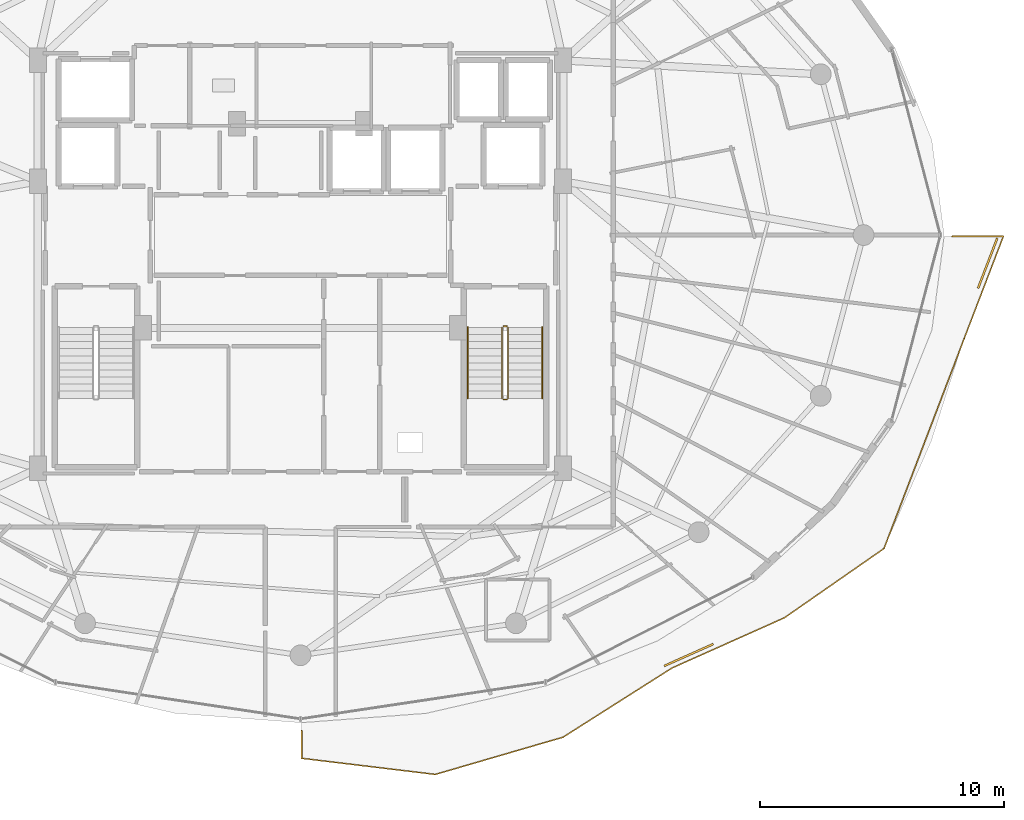
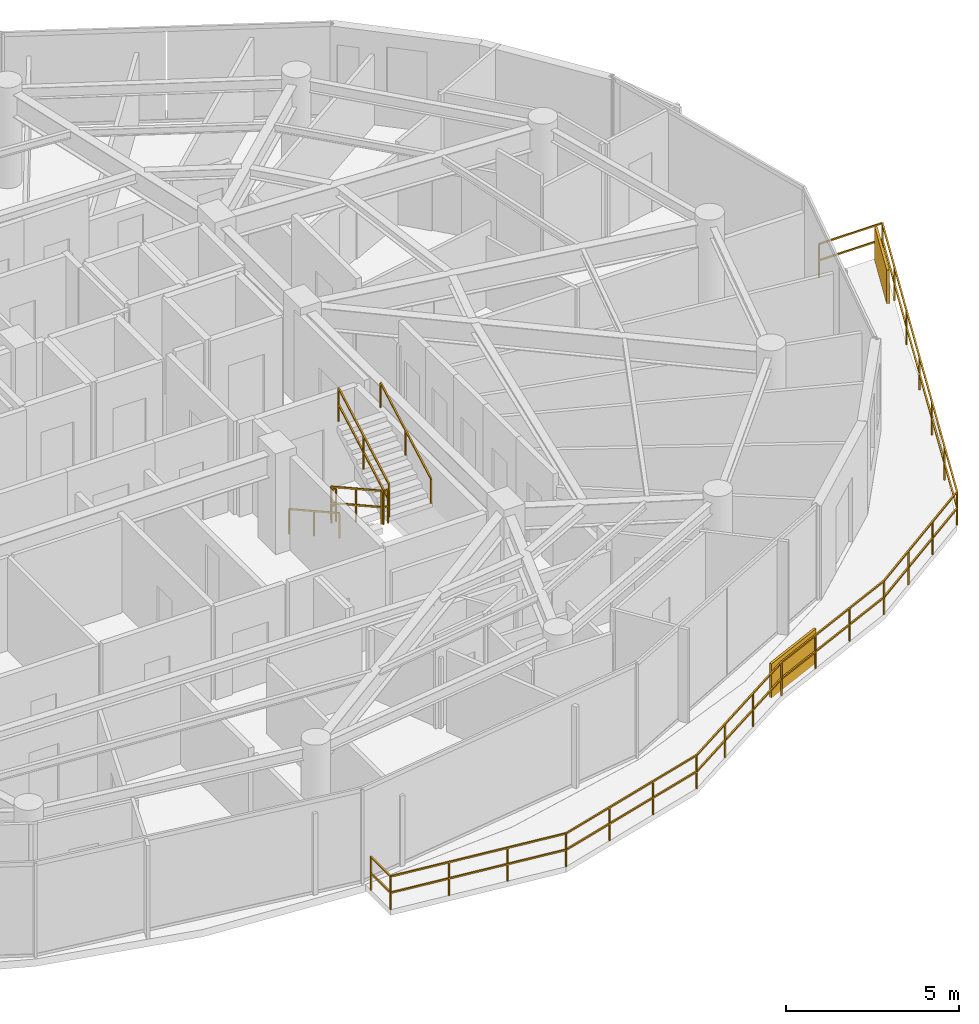
# One storey, part 28 of 30: 8 railings, 2 shading devices.
"""IFC4 building model written with IfcOpenShell, lengths in metres."""

from ifc_helpers import new_model, si_unit, direction, frame, origin, origin_2d, place, context, subcontext, project, spatial, rectangle, extrude, material, type_object, element, save


model = new_model("IFC4")

# Units and contexts
model_context = context("Model", 3, precision=1e-05, world=origin(), true_north=direction((0.0, 1.0)))
body_context = subcontext(model_context, "Body", "Model", "MODEL_VIEW")
ifc_project = project(units=[si_unit("LENGTHUNIT", "METRE"), si_unit("AREAUNIT", "SQUARE_METRE"), si_unit("VOLUMEUNIT", "CUBIC_METRE"), si_unit("PLANEANGLEUNIT", "RADIAN"), si_unit("MASSUNIT", "GRAM", prefix="KILO")], contexts=[model_context])

# Site, building, storey
site_placement = place(None, origin())
site = spatial("IfcSite", under=ifc_project, at=site_placement, CompositionType="ELEMENT")
building_placement = place(site_placement, origin())
building = spatial("IfcBuilding", under=site, at=building_placement, Name="Vorneva Point Tower", CompositionType="ELEMENT")
storey_placement = place(building_placement, frame((0.0, 0.0, 262.64990234375)))
storey = spatial("IfcBuildingStorey", under=building, at=storey_placement, Name="L71", CompositionType="ELEMENT", Elevation=262.64990234375)

# Railings
ifc_material_1 = material(Name="Pale anodised aluminium", Category="aluminium")
railing_type_1 = type_object("IfcRailingType", Name="RL-BAL-1200", PredefinedType="BALUSTRADE", material=ifc_material_1)
railing_1_placement = place(storey_placement, frame((65.166748046875, 21.758544921875, 0.0)))
element("IfcRailing", 1, at=railing_1_placement, inside=storey, type_object=railing_type_1, Name="L71 Wave Balcony Balustrade SE.1", PredefinedType="BALUSTRADE", context=body_context, shape_type="SweptSolid", body=[
    extrude(rectangle(XDim=0.048095703125, YDim=0.048095703125, at=origin_2d()), frame((0.0, 0.0, 1.17578125), z_axis=(0.35840691925, 0.933565466496, 0.0), x_axis=(-0.933565466496, 0.35840691925, 0.0)), (0.0, 0.0, 1.0), 4.48974609375),
    extrude(rectangle(XDim=0.048095703125, YDim=0.048095703125, at=origin_2d()), frame((0.0, 0.0, 0.60009765625), z_axis=(0.35840691925, 0.933565466496, 0.0), x_axis=(-0.933565466496, 0.35840691925, 0.0)), (0.0, 0.0, 1.0), 4.48974609375),
    extrude(rectangle(XDim=0.048095703125, YDim=0.048095703125, at=origin_2d()), frame((1.609130859375, 4.19140625, 1.17578125), z_axis=(-1.0, 0.0, 0.0), x_axis=(0.0, -1.0, 0.0)), (0.0, 0.0, 1.0), 2.109619140625),
    extrude(rectangle(XDim=0.048095703125, YDim=0.048095703125, at=origin_2d()), frame((1.609130859375, 4.19140625, 0.60009765625), z_axis=(-1.0, 0.0, 0.0), x_axis=(0.0, -1.0, 0.0)), (0.0, 0.0, 1.0), 2.109619140625),
    extrude(rectangle(XDim=0.0419921875, YDim=0.0419921875, at=origin_2d()), origin(), (0.0, 0.0, 1.0), 1.15185546875),
    extrude(rectangle(XDim=0.0419921875, YDim=0.0419921875, at=origin_2d()), frame((0.8046875, 2.095703125, 0.0)), (0.0, 0.0, 1.0), 1.15185546875),
    extrude(rectangle(XDim=0.0419921875, YDim=0.0419921875, at=origin_2d()), frame((1.609130859375, 4.19140625, 0.0)), (0.0, 0.0, 1.0), 1.15185546875),
    extrude(rectangle(XDim=0.0419921875, YDim=0.0419921875, at=origin_2d()), frame((-0.50048828125, 4.19140625, 0.0)), (0.0, 0.0, 1.0), 1.15185546875),
])
railing_2_placement = place(storey_placement, frame((38.050048828125, 5.722900390625, 0.0)))
element("IfcRailing", 2, at=railing_2_placement, inside=storey, type_object=railing_type_1, Name="L71 Wave Balcony Balustrade SE.2", PredefinedType="BALUSTRADE", context=body_context, shape_type="SweptSolid", body=[
    extrude(rectangle(XDim=0.048095703125, YDim=0.048095703125, at=origin_2d()), frame((0.0, 0.0, 1.17578125), z_axis=(0.0, -1.0, 0.0), x_axis=(1.0, 0.0, 0.0)), (0.0, 0.0, 1.0), 1.143798828125),
    extrude(rectangle(XDim=0.048095703125, YDim=0.048095703125, at=origin_2d()), frame((0.0, 0.0, 0.60009765625), z_axis=(0.0, -1.0, 0.0), x_axis=(1.0, 0.0, 0.0)), (0.0, 0.0, 1.0), 1.143798828125),
    extrude(rectangle(XDim=0.048095703125, YDim=0.048095703125, at=origin_2d()), frame((0.0, -1.143798828125, 1.17578125), z_axis=(0.992811242742, -0.119690585614, 0.0), x_axis=(0.119690585614, 0.992811242742, 0.0)), (0.0, 0.0, 1.0), 5.50732421875),
    extrude(rectangle(XDim=0.048095703125, YDim=0.048095703125, at=origin_2d()), frame((0.0, -1.143798828125, 0.60009765625), z_axis=(0.992811242742, -0.119690585614, 0.0), x_axis=(0.119690585614, 0.992811242742, 0.0)), (0.0, 0.0, 1.0), 5.50732421875),
    extrude(rectangle(XDim=0.048095703125, YDim=0.048095703125, at=origin_2d()), frame((5.4677734375, -1.802978515625, 1.17578125), z_axis=(0.960109356383, 0.279624791078, 0.0), x_axis=(-0.279624791078, 0.960109356383, 0.0)), (0.0, 0.0, 1.0), 5.447265625),
    extrude(rectangle(XDim=0.048095703125, YDim=0.048095703125, at=origin_2d()), frame((5.4677734375, -1.802978515625, 0.60009765625), z_axis=(0.960109356383, 0.279624791078, 0.0), x_axis=(-0.279624791078, 0.960109356383, 0.0)), (0.0, 0.0, 1.0), 5.447265625),
    extrude(rectangle(XDim=0.048095703125, YDim=0.048095703125, at=origin_2d()), frame((10.69775390625, -0.27978515625, 1.17578125), z_axis=(0.844167028657, 0.53608024374, 0.0), x_axis=(-0.53608024374, 0.844167028657, 0.0)), (0.0, 0.0, 1.0), 5.28564453125),
    extrude(rectangle(XDim=0.048095703125, YDim=0.048095703125, at=origin_2d()), frame((10.69775390625, -0.27978515625, 0.60009765625), z_axis=(0.844167028657, 0.53608024374, 0.0), x_axis=(-0.53608024374, 0.844167028657, 0.0)), (0.0, 0.0, 1.0), 5.28564453125),
    extrude(rectangle(XDim=0.048095703125, YDim=0.048095703125, at=origin_2d()), frame((15.15966796875, 2.5537109375, 1.17578125), z_axis=(0.913022533986, 0.407909122763, 0.0), x_axis=(-0.407909122763, 0.913022533986, 0.0)), (0.0, 0.0, 1.0), 5.038330078125),
    extrude(rectangle(XDim=0.048095703125, YDim=0.048095703125, at=origin_2d()), frame((15.15966796875, 2.5537109375, 0.60009765625), z_axis=(0.913022533986, 0.407909122763, 0.0), x_axis=(-0.407909122763, 0.913022533986, 0.0)), (0.0, 0.0, 1.0), 5.038330078125),
    extrude(rectangle(XDim=0.048095703125, YDim=0.048095703125, at=origin_2d()), frame((19.759765625, 4.60888671875, 1.17578125), z_axis=(0.820997387807, 0.570931947971, 0.0), x_axis=(-0.570931947971, 0.820997387807, 0.0)), (0.0, 0.0, 1.0), 4.965576171875),
    extrude(rectangle(XDim=0.048095703125, YDim=0.048095703125, at=origin_2d()), frame((19.759765625, 4.60888671875, 0.60009765625), z_axis=(0.820997387807, 0.570931947971, 0.0), x_axis=(-0.570931947971, 0.820997387807, 0.0)), (0.0, 0.0, 1.0), 4.965576171875),
    extrude(rectangle(XDim=0.048095703125, YDim=0.048095703125, at=origin_2d()), frame((23.83642578125, 7.44384765625, 1.17578125), z_axis=(0.356679660405, 0.934226749699, 0.0), x_axis=(-0.934226749699, 0.356679660405, 0.0)), (0.0, 0.0, 1.0), 9.19677734375),
    extrude(rectangle(XDim=0.048095703125, YDim=0.048095703125, at=origin_2d()), frame((23.83642578125, 7.44384765625, 0.60009765625), z_axis=(0.356679660405, 0.934226749699, 0.0), x_axis=(-0.934226749699, 0.356679660405, 0.0)), (0.0, 0.0, 1.0), 9.19677734375),
    extrude(rectangle(XDim=0.0419921875, YDim=0.0419921875, at=origin_2d()), origin(), (0.0, 0.0, 1.0), 1.15185546875),
    extrude(rectangle(XDim=0.0419921875, YDim=0.0419921875, at=origin_2d()), frame((0.0, -1.143798828125, 0.0)), (0.0, 0.0, 1.0), 1.15185546875),
    extrude(rectangle(XDim=0.0419921875, YDim=0.0419921875, at=origin_2d()), frame((1.822509765625, -1.363525390625, 0.0)), (0.0, 0.0, 1.0), 1.15185546875),
    extrude(rectangle(XDim=0.0419921875, YDim=0.0419921875, at=origin_2d()), frame((3.645263671875, -1.583251953125, 0.0)), (0.0, 0.0, 1.0), 1.15185546875),
    extrude(rectangle(XDim=0.0419921875, YDim=0.0419921875, at=origin_2d()), frame((5.4677734375, -1.802978515625, 0.0)), (0.0, 0.0, 1.0), 1.15185546875),
    extrude(rectangle(XDim=0.0419921875, YDim=0.0419921875, at=origin_2d()), frame((7.211181640625, -1.295166015625, 0.0)), (0.0, 0.0, 1.0), 1.15185546875),
    extrude(rectangle(XDim=0.0419921875, YDim=0.0419921875, at=origin_2d()), frame((8.954345703125, -0.78759765625, 0.0)), (0.0, 0.0, 1.0), 1.15185546875),
    extrude(rectangle(XDim=0.0419921875, YDim=0.0419921875, at=origin_2d()), frame((10.69775390625, -0.27978515625, 0.0)), (0.0, 0.0, 1.0), 1.15185546875),
    extrude(rectangle(XDim=0.0419921875, YDim=0.0419921875, at=origin_2d()), frame((12.18505859375, 0.664794921875, 0.0)), (0.0, 0.0, 1.0), 1.15185546875),
    extrude(rectangle(XDim=0.0419921875, YDim=0.0419921875, at=origin_2d()), frame((13.67236328125, 1.609130859375, 0.0)), (0.0, 0.0, 1.0), 1.15185546875),
    extrude(rectangle(XDim=0.0419921875, YDim=0.0419921875, at=origin_2d()), frame((15.15966796875, 2.5537109375, 0.0)), (0.0, 0.0, 1.0), 1.15185546875),
    extrude(rectangle(XDim=0.0419921875, YDim=0.0419921875, at=origin_2d()), frame((16.693115234375, 3.23876953125, 0.0)), (0.0, 0.0, 1.0), 1.15185546875),
    extrude(rectangle(XDim=0.0419921875, YDim=0.0419921875, at=origin_2d()), frame((18.226318359375, 3.923828125, 0.0)), (0.0, 0.0, 1.0), 1.15185546875),
    extrude(rectangle(XDim=0.0419921875, YDim=0.0419921875, at=origin_2d()), frame((19.759765625, 4.60888671875, 0.0)), (0.0, 0.0, 1.0), 1.15185546875),
    extrude(rectangle(XDim=0.0419921875, YDim=0.0419921875, at=origin_2d()), frame((21.11865234375, 5.553955078125, 0.0)), (0.0, 0.0, 1.0), 1.15185546875),
    extrude(rectangle(XDim=0.0419921875, YDim=0.0419921875, at=origin_2d()), frame((22.4775390625, 6.498779296875, 0.0)), (0.0, 0.0, 1.0), 1.15185546875),
    extrude(rectangle(XDim=0.0419921875, YDim=0.0419921875, at=origin_2d()), frame((23.83642578125, 7.44384765625, 0.0)), (0.0, 0.0, 1.0), 1.15185546875),
    extrude(rectangle(XDim=0.0419921875, YDim=0.0419921875, at=origin_2d()), frame((24.656494140625, 9.591796875, 0.0)), (0.0, 0.0, 1.0), 1.15185546875),
    extrude(rectangle(XDim=0.0419921875, YDim=0.0419921875, at=origin_2d()), frame((25.4765625, 11.73974609375, 0.0)), (0.0, 0.0, 1.0), 1.15185546875),
    extrude(rectangle(XDim=0.0419921875, YDim=0.0419921875, at=origin_2d()), frame((26.296630859375, 13.8876953125, 0.0)), (0.0, 0.0, 1.0), 1.15185546875),
    extrude(rectangle(XDim=0.0419921875, YDim=0.0419921875, at=origin_2d()), frame((27.11669921875, 16.03564453125, 0.0)), (0.0, 0.0, 1.0), 1.15185546875),
])
ifc_material_2 = material(Name="Brushed stainless steel S304", Category="steel")
railing_type_2 = type_object("IfcRailingType", Name="RL-HND-920", PredefinedType="HANDRAIL", material=ifc_material_2)
railing_3_placement = place(storey_placement, frame((44.85009765625, 22.219970703125, 0.161376953125)))
element("IfcRailing", 3, at=railing_3_placement, inside=storey, type_object=railing_type_2, Name="L71 ST2 stair handrail 1", PredefinedType="HANDRAIL", context=body_context, shape_type="SweptSolid", body=[
    extrude(rectangle(XDim=0.048095703125, YDim=0.048095703125, at=origin_2d()), frame((0.0, 0.0, 0.8759765625), z_axis=(0.0, -0.873810046276, 0.486267419253), x_axis=(1.0, 0.0, 0.0)), (0.0, 0.0, 1.0), 3.318603515625),
    extrude(rectangle(XDim=0.0419921875, YDim=0.0419921875, at=origin_2d()), origin(), (0.0, 0.0, 1.0), 0.851806640625),
    extrude(rectangle(XDim=0.0419921875, YDim=0.0419921875, at=origin_2d()), frame((0.0, -1.449951171875, 0.806884765625)), (0.0, 0.0, 1.0), 0.851806640625),
    extrude(rectangle(XDim=0.0419921875, YDim=0.0419921875, at=origin_2d()), frame((0.0, -2.89990234375, 1.61376953125)), (0.0, 0.0, 1.0), 0.851806640625),
])
railing_4_placement = place(storey_placement, frame((47.89990234375, 19.320068359375, 1.9365234375)))
element("IfcRailing", 4, at=railing_4_placement, inside=storey, type_object=railing_type_2, Name="L71 ST2 stair handrail 2", PredefinedType="HANDRAIL", context=body_context, shape_type="SweptSolid", body=[
    extrude(rectangle(XDim=0.048095703125, YDim=0.048095703125, at=origin_2d()), frame((0.0, 0.0, 0.8759765625), z_axis=(0.0, 0.873841303929, 0.486211245805), x_axis=(-1.0, 0.0, 0.0)), (0.0, 0.0, 1.0), 3.318603515625),
    extrude(rectangle(XDim=0.0419921875, YDim=0.0419921875, at=origin_2d()), origin(), (0.0, 0.0, 1.0), 0.851806640625),
    extrude(rectangle(XDim=0.0419921875, YDim=0.0419921875, at=origin_2d()), frame((0.0, 1.449951171875, 0.806640625)), (0.0, 0.0, 1.0), 0.851806640625),
    extrude(rectangle(XDim=0.0419921875, YDim=0.0419921875, at=origin_2d()), frame((0.0, 2.89990234375, 1.613525390625)), (0.0, 0.0, 1.0), 0.851806640625),
])
railing_type_3 = type_object("IfcRailingType", Name="RL-STG-1100", PredefinedType="GUARDRAIL", material=ifc_material_2)
railing_5_placement = place(storey_placement, frame((46.25, 22.219970703125, 0.161376953125)))
element("IfcRailing", 5, at=railing_5_placement, inside=storey, type_object=railing_type_3, Name="L71 ST2 stair guard 1", PredefinedType="GUARDRAIL", context=body_context, shape_type="SweptSolid", body=[
    extrude(rectangle(XDim=0.048095703125, YDim=0.048095703125, at=origin_2d()), frame((0.0, 0.0, 1.17578125), z_axis=(0.0, -0.873810046276, 0.486267419253), x_axis=(1.0, 0.0, 0.0)), (0.0, 0.0, 1.0), 3.318603515625),
    extrude(rectangle(XDim=0.048095703125, YDim=0.048095703125, at=origin_2d()), frame((0.0, 0.0, 0.60009765625), z_axis=(0.0, -0.873810046276, 0.486267419253), x_axis=(1.0, 0.0, 0.0)), (0.0, 0.0, 1.0), 3.318603515625),
    extrude(rectangle(XDim=0.0419921875, YDim=0.0419921875, at=origin_2d()), origin(), (0.0, 0.0, 1.0), 1.15185546875),
    extrude(rectangle(XDim=0.0419921875, YDim=0.0419921875, at=origin_2d()), frame((0.0, -1.449951171875, 0.806884765625)), (0.0, 0.0, 1.0), 1.15185546875),
    extrude(rectangle(XDim=0.0419921875, YDim=0.0419921875, at=origin_2d()), frame((0.0, -2.89990234375, 1.61376953125)), (0.0, 0.0, 1.0), 1.15185546875),
])
railing_6_placement = place(storey_placement, frame((46.300048828125, 19.27001953125, 1.775146484375)))
element("IfcRailing", 6, at=railing_6_placement, inside=storey, type_object=railing_type_3, Name="L71 ST2 stair guard 2", PredefinedType="GUARDRAIL", context=body_context, shape_type="SweptSolid", body=[
    extrude(rectangle(XDim=0.048095703125, YDim=0.048095703125, at=origin_2d()), frame((0.0, 0.0, 1.17578125), z_axis=(1.0, 0.0, 0.0), x_axis=(0.0, 1.0, 0.0)), (0.0, 0.0, 1.0), 0.14990234375),
    extrude(rectangle(XDim=0.048095703125, YDim=0.048095703125, at=origin_2d()), frame((0.0, 0.0, 0.60009765625), z_axis=(1.0, 0.0, 0.0), x_axis=(0.0, 1.0, 0.0)), (0.0, 0.0, 1.0), 0.14990234375),
    extrude(rectangle(XDim=0.0419921875, YDim=0.0419921875, at=origin_2d()), origin(), (0.0, 0.0, 1.0), 1.15185546875),
    extrude(rectangle(XDim=0.0419921875, YDim=0.0419921875, at=origin_2d()), frame((0.14990234375, 0.0, 0.0)), (0.0, 0.0, 1.0), 1.15185546875),
])
railing_7_placement = place(storey_placement, frame((46.5, 19.320068359375, 1.9365234375)))
element("IfcRailing", 7, at=railing_7_placement, inside=storey, type_object=railing_type_3, Name="L71 ST2 stair guard 3", PredefinedType="GUARDRAIL", context=body_context, shape_type="SweptSolid", body=[
    extrude(rectangle(XDim=0.048095703125, YDim=0.048095703125, at=origin_2d()), frame((0.0, 0.0, 1.17578125), z_axis=(0.0, 0.873841303929, 0.486211245805), x_axis=(-1.0, 0.0, 0.0)), (0.0, 0.0, 1.0), 3.318603515625),
    extrude(rectangle(XDim=0.048095703125, YDim=0.048095703125, at=origin_2d()), frame((0.0, 0.0, 0.60009765625), z_axis=(0.0, 0.873841303929, 0.486211245805), x_axis=(-1.0, 0.0, 0.0)), (0.0, 0.0, 1.0), 3.318603515625),
    extrude(rectangle(XDim=0.0419921875, YDim=0.0419921875, at=origin_2d()), origin(), (0.0, 0.0, 1.0), 1.15185546875),
    extrude(rectangle(XDim=0.0419921875, YDim=0.0419921875, at=origin_2d()), frame((0.0, 1.449951171875, 0.806640625)), (0.0, 0.0, 1.0), 1.15185546875),
    extrude(rectangle(XDim=0.0419921875, YDim=0.0419921875, at=origin_2d()), frame((0.0, 2.89990234375, 1.613525390625)), (0.0, 0.0, 1.0), 1.15185546875),
])
railing_8_placement = place(storey_placement, frame((46.300048828125, 22.27001953125, 0.0)))
element("IfcRailing", 8, at=railing_8_placement, inside=storey, type_object=railing_type_3, Name="L71 ST2 stair guard 4", PredefinedType="GUARDRAIL", context=body_context, shape_type="SweptSolid", body=[
    extrude(rectangle(XDim=0.048095703125, YDim=0.048095703125, at=origin_2d()), frame((0.0, 0.0, 1.17578125), z_axis=(1.0, 0.0, 0.0), x_axis=(0.0, 1.0, 0.0)), (0.0, 0.0, 1.0), 0.14990234375),
    extrude(rectangle(XDim=0.048095703125, YDim=0.048095703125, at=origin_2d()), frame((0.0, 0.0, 0.60009765625), z_axis=(1.0, 0.0, 0.0), x_axis=(0.0, 1.0, 0.0)), (0.0, 0.0, 1.0), 0.14990234375),
    extrude(rectangle(XDim=0.0419921875, YDim=0.0419921875, at=origin_2d()), origin(), (0.0, 0.0, 1.0), 1.15185546875),
    extrude(rectangle(XDim=0.0419921875, YDim=0.0419921875, at=origin_2d()), frame((0.14990234375, 0.0, 0.0)), (0.0, 0.0, 1.0), 1.15185546875),
])

# Shading devices
shading_device_type = type_object("IfcShadingDeviceType", Name="SHD-JAL-1200", PredefinedType="JALOUSIE", material=ifc_material_1)
for number, where, z_axis, x_axis, name in (
    (9, (66.12939453125, 24.847900390625, -0.02001953125), (0.0, 0.0, 1.0), (0.358384243543, 0.933574171654, 0.0), "L71 Balcony Vertical-Greenery Planter Screen SE.1"),
    (10, (53.8955078125, 8.811279296875, -0.02001953125), (0.0, 0.0, 1.0), (0.913012258106, 0.407932122476, 0.0), "L71 Balcony Vertical-Greenery Planter Screen SE.2"),
):
    element("IfcShadingDevice", number, at=place(storey_placement, frame(where, z_axis=z_axis, x_axis=x_axis)), inside=storey, type_object=shading_device_type, Name=name, PredefinedType="JALOUSIE", context=body_context, shape_type="SweptSolid", body=[
        extrude(rectangle(XDim=2.199951171875, YDim=0.080078125, at=origin_2d()), origin(), (0.0, 0.0, 1.0), 1.199951171875),
    ])

save(model, "model.ifc")
